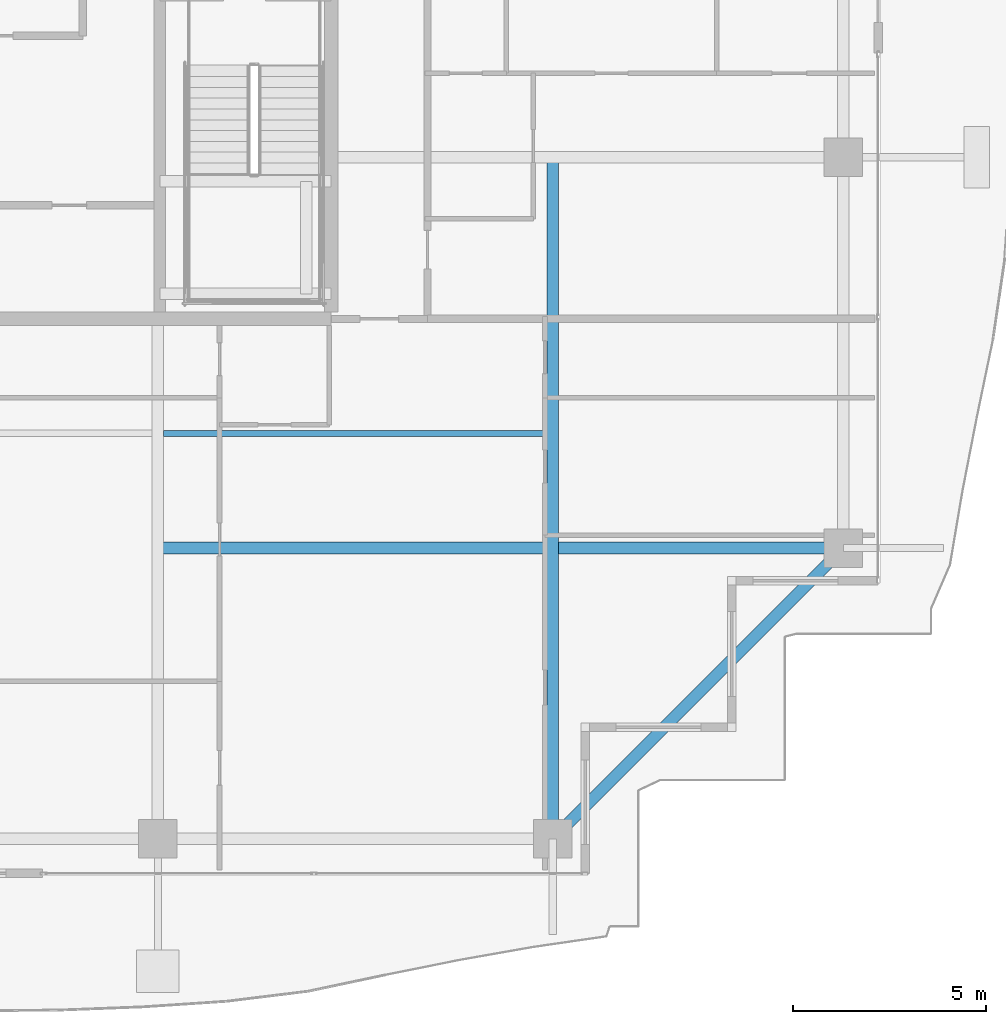
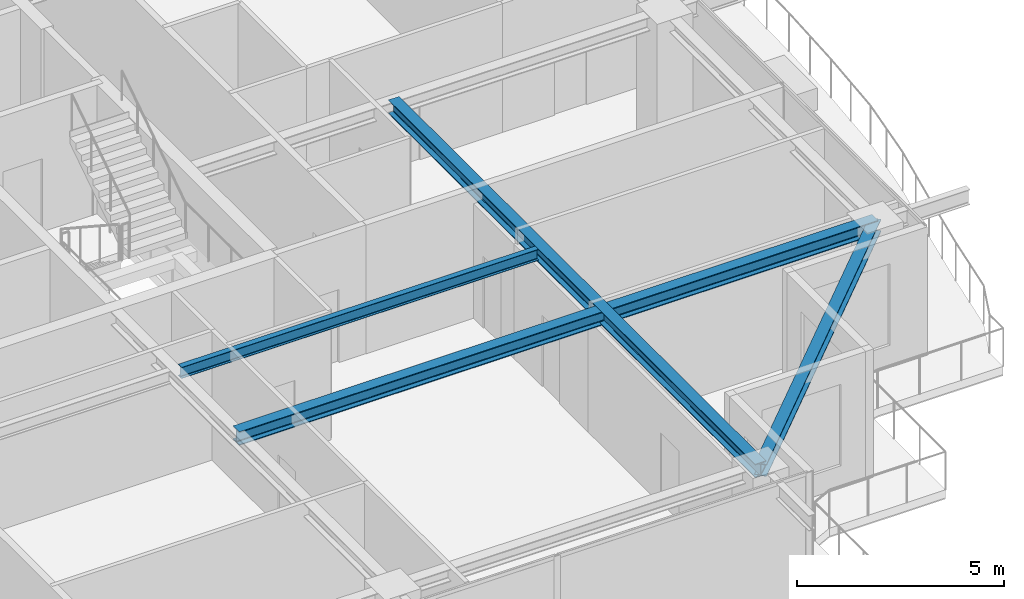
# One storey, part 13 of 42: 4 beams.
"""IFC4 building model written with IfcOpenShell, lengths in metres."""

from ifc_helpers import new_model, si_unit, direction, frame, origin, origin_2d, place, context, subcontext, project, spatial, i_section, extrude, source, transform, mapped, material, material_profile, profile_set, type_object, element, save


model = new_model("IFC4")

# Units and contexts
model_context = context("Model", 3, precision=1e-05, world=origin(), true_north=direction((0.0, 1.0)))
body_context = subcontext(model_context, "Body", "Model", "MODEL_VIEW")
ifc_project = project(units=[si_unit("LENGTHUNIT", "METRE"), si_unit("AREAUNIT", "SQUARE_METRE"), si_unit("VOLUMEUNIT", "CUBIC_METRE"), si_unit("PLANEANGLEUNIT", "RADIAN"), si_unit("MASSUNIT", "GRAM", prefix="KILO")], contexts=[model_context])

# Site, building, storey
site_placement = place(None, origin())
site = spatial("IfcSite", under=ifc_project, at=site_placement, CompositionType="ELEMENT")
building_placement = place(site_placement, origin())
building = spatial("IfcBuilding", under=site, at=building_placement, Name="Serunith Strait Residences", CompositionType="ELEMENT")
storey_placement = place(building_placement, frame((0.0, 0.0, 297.5)))
storey = spatial("IfcBuildingStorey", under=building, at=storey_placement, Name="L74", CompositionType="ELEMENT", Elevation=297.5)

# Beams
ifc_material = material(Name="Steel S355J2", Category="steel")
ifc_material_profile_1 = material_profile(ifc_material, i_section(OverallWidth=0.159912109375, OverallDepth=0.330078125, WebThickness=0.007568359375, FlangeThickness=0.011474609375, FilletRadius=0.01806640625, at=origin_2d()), Name="IPE 330")
ifc_profile_set_1 = profile_set([ifc_material_profile_1], Name="Steel S355J2")
beam_type_1 = type_object("IfcBeamType", Name="BM-IPE330", PredefinedType="JOIST", material=ifc_profile_set_1)
shared_shape_1 = source(origin(), body_context, "Body", "SweptSolid", [
    extrude(i_section(OverallWidth=0.159912109375, OverallDepth=0.330078125, WebThickness=0.007568359375, FlangeThickness=0.011474609375, FilletRadius=0.01806640625, at=origin_2d()), origin(), (0.0, 0.0, 1.0), 9.949951171875),
])
beam_1_placement = place(storey_placement, frame((37.050048828125, 13.824951171875, 3.6220703125), z_axis=(1.0, 0.0, 0.0), x_axis=(0.0, 1.0, 0.0)))
element("IfcBeam", 1, at=beam_1_placement, inside=storey, type_object=beam_type_1, Name="L74 Composite Floor Joist 03", PredefinedType="JOIST", context=body_context, shape_type="MappedRepresentation", body=[
    mapped(shared_shape_1, transform((0.0, 0.0, 0.0), scale=1.0)),
])
ifc_material_profile_2 = material_profile(ifc_material, i_section(OverallWidth=0.300048828125, OverallDepth=0.39990234375, WebThickness=0.013427734375, FlangeThickness=0.02392578125, FilletRadius=0.027099609375, at=origin_2d()), Name="HEB 400")
ifc_profile_set_2 = profile_set([ifc_material_profile_2], Name="Steel S355J2")
beam_type_2 = type_object("IfcBeamType", Name="BM-HEB400", PredefinedType="BEAM", material=ifc_profile_set_2)
shared_shape_2 = source(origin(), body_context, "Body", "SweptSolid", [
    extrude(i_section(OverallWidth=0.300048828125, OverallDepth=0.39990234375, WebThickness=0.013427734375, FlangeThickness=0.02392578125, FilletRadius=0.027099609375, at=origin_2d()), origin(), (0.0, 0.0, 1.0), 17.699951171875),
])
beam_2_placement = place(storey_placement, frame((47.14990234375, 21.0, 3.5869140625), z_axis=(0.0, -1.0, 0.0), x_axis=(1.0, 0.0, 0.0)))
element("IfcBeam", 2, at=beam_2_placement, inside=storey, type_object=beam_type_2, Name="L74 Orthogonal Corner Girder TC-S4", PredefinedType="BEAM", context=body_context, shape_type="MappedRepresentation", body=[
    mapped(shared_shape_2, transform((0.0, 0.0, 0.0), scale=1.0)),
])
shared_shape_3 = source(origin(), body_context, "Body", "SweptSolid", [
    extrude(i_section(OverallWidth=0.300048828125, OverallDepth=0.39990234375, WebThickness=0.013427734375, FlangeThickness=0.02392578125, FilletRadius=0.027099609375, at=origin_2d()), origin(), (0.0, 0.0, 1.0), 17.800048828125),
])
beam_3_placement = place(storey_placement, frame((36.89990234375, 10.85009765625, 3.5869140625), z_axis=(1.0, 0.0, 0.0), x_axis=(0.0, 1.0, 0.0)))
element("IfcBeam", 3, at=beam_3_placement, inside=storey, type_object=beam_type_2, Name="L74 Orthogonal Corner Girder TC-E1", PredefinedType="BEAM", context=body_context, shape_type="MappedRepresentation", body=[
    mapped(shared_shape_3, transform((0.0, 0.0, 0.0), scale=1.0)),
])
ifc_material_profile_3 = material_profile(ifc_material, i_section(OverallWidth=0.300048828125, OverallDepth=0.360107421875, WebThickness=0.012451171875, FlangeThickness=0.0224609375, FilletRadius=0.027099609375, at=origin_2d()), Name="HEB 360")
ifc_profile_set_3 = profile_set([ifc_material_profile_3], Name="Steel S355J2")
beam_type_3 = type_object("IfcBeamType", Name="BM-HEB360", PredefinedType="BEAM", material=ifc_profile_set_3)
shared_shape_4 = source(origin(), body_context, "Body", "SweptSolid", [
    extrude(i_section(OverallWidth=0.300048828125, OverallDepth=0.360107421875, WebThickness=0.012451171875, FlangeThickness=0.0224609375, FilletRadius=0.027099609375, at=origin_2d()), origin(), (0.0, 0.0, 1.0), 10.677490234375),
])
beam_4_placement = place(storey_placement, frame((47.14990234375, 3.300048828125, 3.576904296875), z_axis=(0.707106781187, 0.707106781187, 0.0), x_axis=(-0.707106781187, 0.707106781187, 0.0)))
element("IfcBeam", 4, at=beam_4_placement, inside=storey, type_object=beam_type_3, Name="L74 Perimeter Ring Beam 04", PredefinedType="BEAM", context=body_context, shape_type="MappedRepresentation", body=[
    mapped(shared_shape_4, transform((0.0, 0.0, 0.0), scale=1.0)),
])

save(model, "model.ifc")
